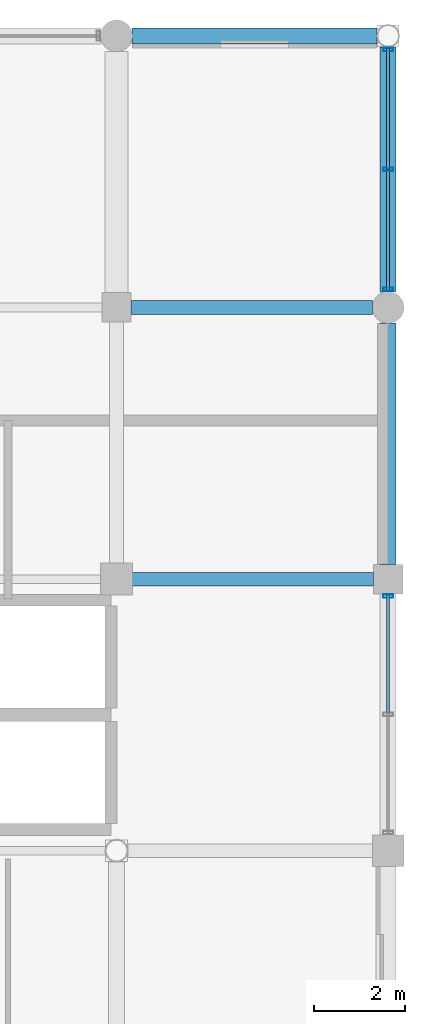
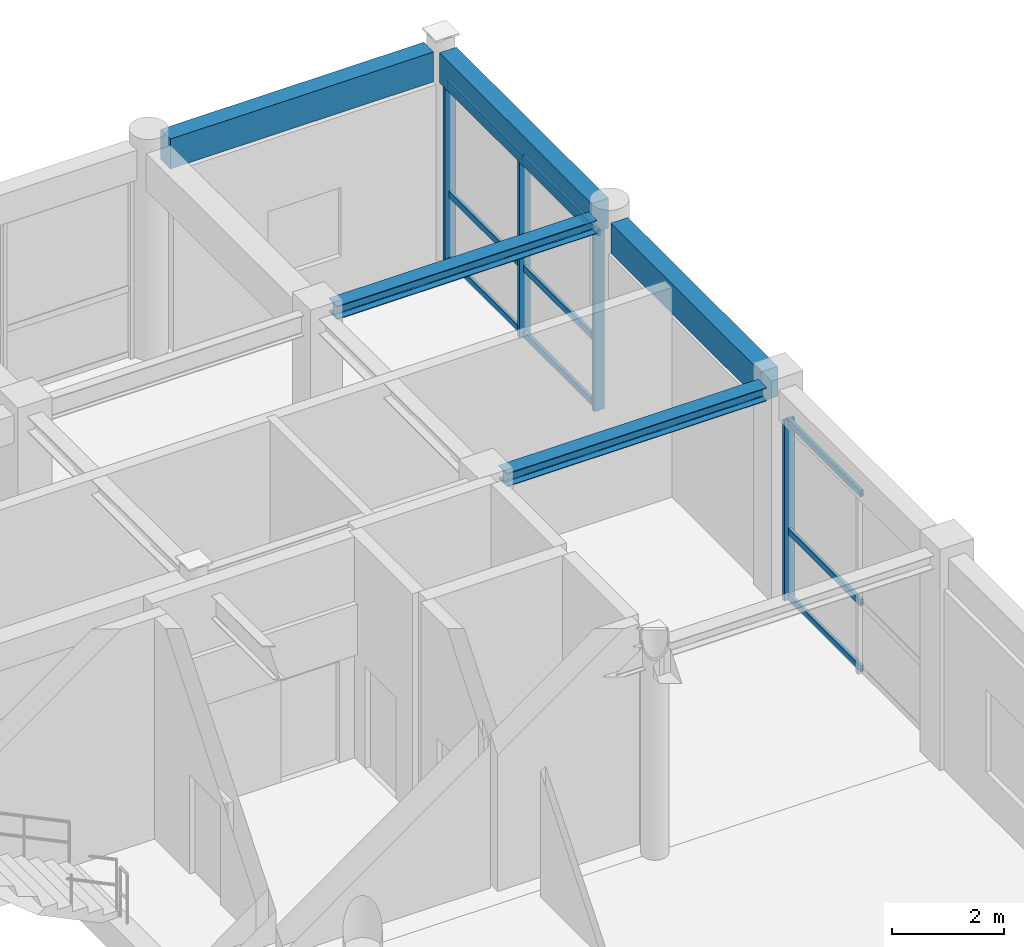
# One storey, part 81 of 112: 13 members, 5 beams, 2 elements without a shape of their own.
"""IFC4 building model written with IfcOpenShell, lengths in metres."""

import ifcopenshell
import ifcopenshell.guid

model = None  # the IFC model being written
_history = None  # IfcOwnerHistory: only IFC2X3 demands one
_inside = {}  # id of a spatial element -> (the spatial element, [elements in it])
_under = {}  # id of a project, library or spatial element -> (it, [spatial elements below it])
_declared = {}  # id of a project -> (the project, [libraries it declares])
_typed = {}  # id of a type object -> (the type object, [elements of that type])
_made_of = {}  # id of a material, layer set ... -> (it, [elements and type objects made of it])


def new_model(schema):
    """Start an empty IFC model of exactly this schema.

    Asked for "IFC4X3", IfcOpenShell would pick the latest addendum, in which some entities
    have other attributes; the version numbers below select the first issue.
    IFC2X3 requires an IfcOwnerHistory on every rooted entity: one is made here for all.
    """
    global model, _history
    if schema == "IFC4X3":
        model = ifcopenshell.file(schema_version=(4, 3, 0, 0))
    else:
        model = ifcopenshell.file(schema=schema)
    _inside.clear()
    _under.clear()
    _declared.clear()
    _typed.clear()
    _made_of.clear()
    _history = None
    if model.schema == "IFC2X3":
        org = make("IfcOrganization", Name="unknown")
        user = make(
            "IfcPersonAndOrganization",
            ThePerson=make("IfcPerson", FamilyName="unknown"),
            TheOrganization=org,
        )
        app = make(
            "IfcApplication",
            ApplicationDeveloper=org,
            Version="unknown",
            ApplicationFullName="unknown",
            ApplicationIdentifier="unknown",
        )
        _history = make(
            "IfcOwnerHistory",
            OwningUser=user,
            OwningApplication=app,
            ChangeAction="ADDED",
            CreationDate=0,
        )
    return model


def make(cls, **values):
    """One entity of the class cls with the attributes given. An attribute that is None is left unset."""
    return model.create_entity(
        cls, **{name: value for name, value in values.items() if value is not None}
    )


def rooted(cls, **values):
    """An entity with a GlobalId (a new one), such as an element, a storey or a relation."""
    return make(cls, GlobalId=ifcopenshell.guid.new(), OwnerHistory=_history, **values)


def si_unit(unit_type, name, prefix=None):
    """IfcSIUnit, for example si_unit("LENGTHUNIT", "METRE", prefix="MILLI")."""
    return make("IfcSIUnit", UnitType=unit_type, Prefix=prefix, Name=name)


def assignment(units):
    """IfcUnitAssignment: the units of a project."""
    return None if units is None else make("IfcUnitAssignment", Units=units)


def point(xyz):
    """IfcCartesianPoint."""
    return None if xyz is None else make("IfcCartesianPoint", Coordinates=xyz)


def direction(xyz):
    """IfcDirection."""
    return None if xyz is None else make("IfcDirection", DirectionRatios=xyz)


def frame(location, z_axis=None, x_axis=None):
    """IfcAxis2Placement3D, a coordinate frame: its origin and axes. An axis left out is left unset."""
    return make(
        "IfcAxis2Placement3D",
        Location=point(location),
        Axis=direction(z_axis),
        RefDirection=direction(x_axis),
    )


def frame_2d(location, x_axis=None):
    """IfcAxis2Placement2D, a coordinate frame in the plane: its origin and x axis."""
    return make(
        "IfcAxis2Placement2D", Location=point(location), RefDirection=direction(x_axis)
    )


def origin():
    """The frame at (0, 0, 0) with its axes left unset."""
    return frame((0.0, 0.0, 0.0))


def origin_2d():
    """The frame at (0, 0) in the plane with its x axis left unset."""
    return frame_2d((0.0, 0.0))


def place(relative_to, where):
    """IfcLocalPlacement: puts the frame where relative to a parent placement (None: the world)."""
    return make(
        "IfcLocalPlacement", PlacementRelTo=relative_to, RelativePlacement=where
    )


def context(
    kind, dimensions, precision=None, world=None, true_north=None, identifier=None
):
    """IfcGeometricRepresentationContext, for example the 3D "Model" context."""
    return make(
        "IfcGeometricRepresentationContext",
        ContextIdentifier=identifier,
        ContextType=kind,
        CoordinateSpaceDimension=dimensions,
        Precision=precision,
        WorldCoordinateSystem=world,
        TrueNorth=true_north,
    )


def subcontext(parent, identifier, kind, view, scale=None):
    """IfcGeometricRepresentationSubContext, for example "Body" below "Model"."""
    return make(
        "IfcGeometricRepresentationSubContext",
        ContextIdentifier=identifier,
        ContextType=kind,
        ParentContext=parent,
        TargetScale=scale,
        TargetView=view,
    )


def project(units=None, contexts=None):
    """IfcProject with its units and contexts."""
    return rooted(
        "IfcProject",
        Name="project",
        RepresentationContexts=contexts,
        UnitsInContext=assignment(units),
    )


def spatial(cls, under=None, at=None, **own):
    """A site, building, storey or space (cls), placed at a placement, below another one or the project."""
    s = rooted(cls, ObjectPlacement=at, **own)
    if under is not None:
        _under.setdefault(under.id(), (under, []))[1].append(s)
    return s


def profile(cls, at=None, kind="AREA", **sizes):
    """A parametric profile (cls). Its sizes go by their IFC names, for example OverallWidth=200.0."""
    return make(cls, ProfileType=kind, Position=at, **sizes)


def rectangle(**sizes):
    """IfcRectangleProfileDef."""
    return profile("IfcRectangleProfileDef", **sizes)


def hollow_rectangle(**sizes):
    """IfcRectangleHollowProfileDef."""
    return profile("IfcRectangleHollowProfileDef", **sizes)


def i_section(**sizes):
    """IfcIShapeProfileDef."""
    return profile("IfcIShapeProfileDef", **sizes)


def extrude(swept, where, along, depth):
    """IfcExtrudedAreaSolid: the profile swept, set in the frame where, extruded along a direction by depth."""
    return make(
        "IfcExtrudedAreaSolid",
        SweptArea=swept,
        Position=where,
        ExtrudedDirection=direction(along),
        Depth=depth,
    )


def shape(context_of_items, identifier, shape_type, items):
    """IfcShapeRepresentation: the items that make up one representation, for example the "Body"."""
    return make(
        "IfcShapeRepresentation",
        ContextOfItems=context_of_items,
        RepresentationIdentifier=identifier,
        RepresentationType=shape_type,
        Items=items,
    )


def material(Name=None, Category=None):
    """IfcMaterial."""
    return make("IfcMaterial", Name=Name, Category=Category)


def material_profile(
    of_material, cross_section, Name=None, Category=None, Priority=None
):
    """IfcMaterialProfile: a cross section and its material."""
    return make(
        "IfcMaterialProfile",
        Name=Name,
        Material=of_material,
        Profile=cross_section,
        Priority=Priority,
        Category=Category,
    )


def profile_set(profiles, Name=None, composite=None):
    """IfcMaterialProfileSet."""
    return make(
        "IfcMaterialProfileSet",
        Name=Name,
        MaterialProfiles=profiles,
        CompositeProfile=composite,
    )


def made_of(thing, what):
    """Note that an element or type object is made of a material, layer set ...; save() writes the relation."""
    if what is not None:
        _made_of.setdefault(what.id(), (what, []))[1].append(thing)
    return thing


def type_object(cls, material=None, **own):
    """A type object (cls), such as IfcWallType, which elements share."""
    return made_of(rooted(cls, **own), material)


def element(
    cls,
    number,
    at=None,
    inside=None,
    cuts=None,
    type_object=None,
    material=None,
    context=None,
    identifier="Body",
    shape_type=None,
    held_by="IfcProductDefinitionShape",
    body=None,
    shapes=None,
    **own,
):
    """One element of the class cls, such as IfcWall. Its Tag is "e" and its number.

    at: its placement. inside: the storey or other place that contains it. cuts: it is an
    opening in that element (IfcRelVoidsElement). A single representation is given by context,
    identifier, shape_type and body (its items); several are given by shapes. held_by: the class
    of the entity that holds the representations. save() writes the other relations.
    """
    e = rooted(cls, Tag="e%d" % number, ObjectPlacement=at, **own)
    if body is not None:
        shapes = [shape(context, identifier, shape_type, body)]
    if shapes is not None:
        e.Representation = make(held_by, Representations=shapes)
    if inside is not None:
        _inside.setdefault(inside.id(), (inside, []))[1].append(e)
    if cuts is not None:
        rooted(
            "IfcRelVoidsElement", RelatingBuildingElement=cuts, RelatedOpeningElement=e
        )
    if type_object is not None:
        _typed.setdefault(type_object.id(), (type_object, []))[1].append(e)
    return made_of(e, material)


def aggregate(whole, parts):
    """IfcRelAggregates: a whole, such as a stair, and the parts it consists of."""
    return rooted("IfcRelAggregates", RelatingObject=whole, RelatedObjects=parts)


def save(model, path):
    """Write the relations noted so far, then the file.

    IfcRelAggregates (storeys below a building ...), IfcRelContainedInSpatialStructure (elements
    in a storey), IfcRelDefinesByType, IfcRelAssociatesMaterial and IfcRelDeclares: one each for
    every whole, place, type object, material and project.
    """
    for whole, parts in _under.values():
        aggregate(whole, parts)
    for where, things in _inside.values():
        rooted(
            "IfcRelContainedInSpatialStructure",
            RelatedElements=things,
            RelatingStructure=where,
        )
    for kind, things in _typed.values():
        rooted("IfcRelDefinesByType", RelatedObjects=things, RelatingType=kind)
    for what, things in _made_of.values():
        rooted("IfcRelAssociatesMaterial", RelatedObjects=things, RelatingMaterial=what)
    for by, libraries in _declared.values():
        rooted("IfcRelDeclares", RelatingContext=by, RelatedDefinitions=libraries)
    model.write(path)


model = new_model("IFC4")

# Units and contexts
model_context = context("Model", 3, precision=1e-05, world=origin(), true_north=direction((0.0, 1.0)))
body_context = subcontext(model_context, "Body", "Model", "MODEL_VIEW")
ifc_project = project(units=[si_unit("LENGTHUNIT", "METRE"), si_unit("AREAUNIT", "SQUARE_METRE"), si_unit("VOLUMEUNIT", "CUBIC_METRE"), si_unit("PLANEANGLEUNIT", "RADIAN"), si_unit("MASSUNIT", "GRAM", prefix="KILO"), si_unit("THERMODYNAMICTEMPERATUREUNIT", "KELVIN"), si_unit("POWERUNIT", "WATT")], contexts=[model_context])

# Site, building, storey
site_placement = place(None, origin())
site = spatial("IfcSite", under=ifc_project, at=site_placement, CompositionType="ELEMENT")
building_placement = place(site_placement, origin())
building = spatial("IfcBuilding", under=site, at=building_placement, Name="Phaisarnlok Congress Hotel", CompositionType="ELEMENT")
storey_placement = place(building_placement, frame((0.0, 0.0, 19.800048828125)))
storey = spatial("IfcBuildingStorey", under=building, at=storey_placement, Name="L04", CompositionType="ELEMENT", Elevation=19.800048828125)

# Beams
ifc_material_1 = material(Name="Steel S355", Category="steel")
ifc_material_profile_1 = material_profile(ifc_material_1, i_section(OverallWidth=0.300048828125, OverallDepth=0.2900390625, WebThickness=0.008544921875, FlangeThickness=0.013916015625, FilletRadius=0.027099609375, at=origin_2d()), Name="HEA 300")
ifc_profile_set_1 = profile_set([ifc_material_profile_1], Name="Steel S355")
beam_type_1 = type_object("IfcBeamType", Name="BM-STL-HEA300", PredefinedType="BEAM", material=ifc_profile_set_1)
for number, where, z_axis, x_axis, name in (
    (1, (174.344970703125, 114.0, 4.405029296875), (1.0, 0.0, 0.0), (0.0, 1.0, 0.0), "Beam SB-05"),
    (2, (174.320068359375, 120.0, 4.405029296875), (1.0, 0.0, 0.0), (0.0, 1.0, 0.0), "Beam SB-05"),
):
    element("IfcBeam", number, at=place(storey_placement, frame(where, z_axis=z_axis, x_axis=x_axis)), inside=storey, type_object=beam_type_1, Name=name, PredefinedType="BEAM", context=body_context, shape_type="SweptSolid", body=[
        extrude(i_section(OverallWidth=0.300048828125, OverallDepth=0.2900390625, WebThickness=0.008544921875, FlangeThickness=0.013916015625, FilletRadius=0.027099609375, at=origin_2d()), origin(), (0.0, 0.0, 1.0), 5.3349609375),
    ])

# Curtain wall, member
ifc_material_2 = material(Name="Thermally Broken Unitised Aluminium & Low-E Glazing", Category="aluminium")
curtain_wall_type_1 = type_object("IfcCurtainWallType", Name="CW-UNIT-33", PredefinedType="NOTDEFINED", material=ifc_material_2)
curtain_wall_1_placement = place(storey_placement, origin())
curtain_wall_1 = element("IfcCurtainWall", 3, at=curtain_wall_1_placement, inside=storey, type_object=curtain_wall_type_1, Name="Unitised curtain wall CW-33 (L04)", PredefinedType="NOTDEFINED")
ifc_material_3 = material(Name="Anodised Aluminium Alloy 6063-T6", Category="aluminium")
ifc_material_profile_2 = material_profile(ifc_material_3, hollow_rectangle(XDim=0.074951171875, YDim=0.219970703125, WallThickness=0.0048828125, at=origin_2d()), Name="ALU-M 75x220x5")
ifc_profile_set_2 = profile_set([ifc_material_profile_2], Name="Anodised Aluminium Alloy 6063-T6")
member_type_1 = type_object("IfcMemberType", Name="CWM-220", PredefinedType="MULLION", material=ifc_profile_set_2)
member_1_placement = place(storey_placement, frame((180.0, 113.625, 0.0), z_axis=(0.0, 0.0, 1.0), x_axis=(0.0, 1.0, 0.0)))
member_1 = element("IfcMember", 4, at=member_1_placement, type_object=member_type_1, Name="Curtain wall mullion CWM-02", PredefinedType="MULLION", context=body_context, shape_type="SweptSolid", body=[
    extrude(hollow_rectangle(XDim=0.074951171875, YDim=0.219970703125, WallThickness=0.0048828125, at=origin_2d()), origin(), (0.0, 0.0, 1.0), 3.89990234375),
])

# Curtain wall, members
curtain_wall_type_2 = type_object("IfcCurtainWallType", Name="CW-UNIT-34", PredefinedType="NOTDEFINED", material=ifc_material_2)
curtain_wall_2_placement = place(storey_placement, origin())
curtain_wall_2 = element("IfcCurtainWall", 5, at=curtain_wall_2_placement, inside=storey, type_object=curtain_wall_type_2, Name="Unitised curtain wall CW-34 (L04)", PredefinedType="NOTDEFINED")
member_2_placement = place(storey_placement, frame((180.0, 120.39990234375, 0.0), z_axis=(0.0, 0.0, 1.0), x_axis=(0.0, 1.0, 0.0)))
member_2 = element("IfcMember", 6, at=member_2_placement, type_object=member_type_1, Name="Curtain wall mullion CWM-02", PredefinedType="MULLION", context=body_context, shape_type="SweptSolid", body=[
    extrude(hollow_rectangle(XDim=0.074951171875, YDim=0.219970703125, WallThickness=0.0048828125, at=origin_2d()), origin(), (0.0, 0.0, 1.0), 3.89990234375),
])
member_3_placement = place(storey_placement, frame((180.0, 123.048095703125, 0.0), z_axis=(0.0, 0.0, 1.0), x_axis=(0.0, 1.0, 0.0)))
member_3 = element("IfcMember", 7, at=member_3_placement, type_object=member_type_1, Name="Curtain wall mullion CWM-02", PredefinedType="MULLION", context=body_context, shape_type="SweptSolid", body=[
    extrude(hollow_rectangle(XDim=0.074951171875, YDim=0.219970703125, WallThickness=0.0048828125, at=origin_2d()), origin(), (0.0, 0.0, 1.0), 3.89990234375),
])
member_4_placement = place(storey_placement, frame((180.0, 125.696044921875, 0.0), z_axis=(0.0, 0.0, 1.0), x_axis=(0.0, 1.0, 0.0)))
member_4 = element("IfcMember", 8, at=member_4_placement, type_object=member_type_1, Name="Curtain wall mullion CWM-02", PredefinedType="MULLION", context=body_context, shape_type="SweptSolid", body=[
    extrude(hollow_rectangle(XDim=0.074951171875, YDim=0.219970703125, WallThickness=0.0048828125, at=origin_2d()), origin(), (0.0, 0.0, 1.0), 3.89990234375),
])

# Member
ifc_material_profile_3 = material_profile(ifc_material_3, hollow_rectangle(XDim=0.06494140625, YDim=0.139892578125, WallThickness=0.00390625, at=origin_2d()), Name="ALU-T 65x140x4")
ifc_profile_set_3 = profile_set([ifc_material_profile_3], Name="Anodised Aluminium Alloy 6063-T6")
member_type_2 = type_object("IfcMemberType", Name="CWT-150", PredefinedType="USERDEFINED", material=ifc_profile_set_3)
member_5_placement = place(storey_placement, frame((180.0, 111.027587890625, 0.050048828125), z_axis=(0.0, 1.0, 0.0), x_axis=(-1.0, 0.0, 0.0)))
member_5 = element("IfcMember", 9, at=member_5_placement, type_object=member_type_2, Name="Curtain wall transom CWT-01", ObjectType="TRANSOM", PredefinedType="USERDEFINED", context=body_context, shape_type="SweptSolid", body=[
    extrude(hollow_rectangle(XDim=0.06494140625, YDim=0.139892578125, WallThickness=0.00390625, at=origin_2d()), origin(), (0.0, 0.0, 1.0), 2.622314453125),
])

member_6_placement = place(storey_placement, frame((180.0, 111.027587890625, 1.48193359375), z_axis=(0.0, 1.0, 0.0), x_axis=(-1.0, 0.0, 0.0)))
member_6 = element("IfcMember", 10, at=member_6_placement, type_object=member_type_2, Name="Curtain wall transom CWT-01", ObjectType="TRANSOM", PredefinedType="USERDEFINED", context=body_context, shape_type="SweptSolid", body=[
    extrude(hollow_rectangle(XDim=0.06494140625, YDim=0.139892578125, WallThickness=0.00390625, at=origin_2d()), origin(), (0.0, 0.0, 1.0), 2.622314453125),
])

member_7_placement = place(storey_placement, frame((180.0, 111.027587890625, 3.849853515625), z_axis=(0.0, 1.0, 0.0), x_axis=(-1.0, 0.0, 0.0)))
member_7 = element("IfcMember", 11, at=member_7_placement, type_object=member_type_2, Name="Curtain wall transom CWT-01", ObjectType="TRANSOM", PredefinedType="USERDEFINED", context=body_context, shape_type="SweptSolid", body=[
    extrude(hollow_rectangle(XDim=0.06494140625, YDim=0.139892578125, WallThickness=0.00390625, at=origin_2d()), origin(), (0.0, 0.0, 1.0), 2.622314453125),
])

aggregate(curtain_wall_1, [member_1, member_5, member_6, member_7])

member_8_placement = place(storey_placement, frame((180.0, 120.375, 0.050048828125), z_axis=(0.0, 1.0, 0.0), x_axis=(-1.0, 0.0, 0.0)))
member_8 = element("IfcMember", 12, at=member_8_placement, type_object=member_type_2, Name="Curtain wall transom CWT-01", ObjectType="TRANSOM", PredefinedType="USERDEFINED", context=body_context, shape_type="SweptSolid", body=[
    extrude(hollow_rectangle(XDim=0.06494140625, YDim=0.139892578125, WallThickness=0.00390625, at=origin_2d()), origin(), (0.0, 0.0, 1.0), 2.657958984375),
])

member_9_placement = place(storey_placement, frame((180.0, 120.375, 1.48193359375), z_axis=(0.0, 1.0, 0.0), x_axis=(-1.0, 0.0, 0.0)))
member_9 = element("IfcMember", 13, at=member_9_placement, type_object=member_type_2, Name="Curtain wall transom CWT-01", ObjectType="TRANSOM", PredefinedType="USERDEFINED", context=body_context, shape_type="SweptSolid", body=[
    extrude(hollow_rectangle(XDim=0.06494140625, YDim=0.139892578125, WallThickness=0.00390625, at=origin_2d()), origin(), (0.0, 0.0, 1.0), 2.657958984375),
])

member_10_placement = place(storey_placement, frame((180.0, 120.375, 3.849853515625), z_axis=(0.0, 1.0, 0.0), x_axis=(-1.0, 0.0, 0.0)))
member_10 = element("IfcMember", 14, at=member_10_placement, type_object=member_type_2, Name="Curtain wall transom CWT-01", ObjectType="TRANSOM", PredefinedType="USERDEFINED", context=body_context, shape_type="SweptSolid", body=[
    extrude(hollow_rectangle(XDim=0.06494140625, YDim=0.139892578125, WallThickness=0.00390625, at=origin_2d()), origin(), (0.0, 0.0, 1.0), 2.657958984375),
])

member_11_placement = place(storey_placement, frame((180.0, 123.06298828125, 0.050048828125), z_axis=(0.0, 1.0, 0.0), x_axis=(-1.0, 0.0, 0.0)))
member_11 = element("IfcMember", 15, at=member_11_placement, type_object=member_type_2, Name="Curtain wall transom CWT-01", ObjectType="TRANSOM", PredefinedType="USERDEFINED", context=body_context, shape_type="SweptSolid", body=[
    extrude(hollow_rectangle(XDim=0.06494140625, YDim=0.139892578125, WallThickness=0.00390625, at=origin_2d()), origin(), (0.0, 0.0, 1.0), 2.657958984375),
])

member_12_placement = place(storey_placement, frame((180.0, 123.06298828125, 1.48193359375), z_axis=(0.0, 1.0, 0.0), x_axis=(-1.0, 0.0, 0.0)))
member_12 = element("IfcMember", 16, at=member_12_placement, type_object=member_type_2, Name="Curtain wall transom CWT-01", ObjectType="TRANSOM", PredefinedType="USERDEFINED", context=body_context, shape_type="SweptSolid", body=[
    extrude(hollow_rectangle(XDim=0.06494140625, YDim=0.139892578125, WallThickness=0.00390625, at=origin_2d()), origin(), (0.0, 0.0, 1.0), 2.657958984375),
])

member_13_placement = place(storey_placement, frame((180.0, 123.06298828125, 3.849853515625), z_axis=(0.0, 1.0, 0.0), x_axis=(-1.0, 0.0, 0.0)))
member_13 = element("IfcMember", 17, at=member_13_placement, type_object=member_type_2, Name="Curtain wall transom CWT-01", ObjectType="TRANSOM", PredefinedType="USERDEFINED", context=body_context, shape_type="SweptSolid", body=[
    extrude(hollow_rectangle(XDim=0.06494140625, YDim=0.139892578125, WallThickness=0.00390625, at=origin_2d()), origin(), (0.0, 0.0, 1.0), 2.657958984375),
])

aggregate(curtain_wall_2, [member_2, member_3, member_4, member_8, member_9, member_10, member_11, member_12, member_13])

# Beams
ifc_material_4 = material(Name="Concrete C40/50", Category="concrete")
ifc_material_profile_4 = material_profile(ifc_material_4, rectangle(XDim=0.35009765625, YDim=0.64990234375, at=origin_2d()), Name="RC 350x650")
ifc_profile_set_4 = profile_set([ifc_material_profile_4], Name="Concrete C40/50")
beam_type_2 = type_object("IfcBeamType", Name="SP-RC-350x650", PredefinedType="SPANDREL", material=ifc_profile_set_4)
beam_1_placement = place(storey_placement, frame((174.344970703125, 126.0, 4.224853515625), z_axis=(1.0, 0.0, 0.0), x_axis=(0.0, 1.0, 0.0)))
element("IfcBeam", 18, at=beam_1_placement, inside=storey, type_object=beam_type_2, Name="Beam SP-01", PredefinedType="SPANDREL", context=body_context, shape_type="SweptSolid", body=[
    extrude(rectangle(XDim=0.35009765625, YDim=0.64990234375, at=origin_2d()), origin(), (0.0, 0.0, 1.0), 5.406005859375),
])
beam_2_placement = place(storey_placement, frame((180.0, 114.320068359375, 4.224853515625), z_axis=(0.0, 1.0, 0.0), x_axis=(-1.0, 0.0, 0.0)))
element("IfcBeam", 19, at=beam_2_placement, inside=storey, type_object=beam_type_2, Name="Beam SP-01", PredefinedType="SPANDREL", context=body_context, shape_type="SweptSolid", body=[
    extrude(rectangle(XDim=0.35009765625, YDim=0.64990234375, at=origin_2d()), origin(), (0.0, 0.0, 1.0), 5.3349609375),
])
beam_3_placement = place(storey_placement, frame((180.0, 120.344970703125, 4.224853515625), z_axis=(0.0, 1.0, 0.0), x_axis=(-1.0, 0.0, 0.0)))
element("IfcBeam", 20, at=beam_3_placement, inside=storey, type_object=beam_type_2, Name="Beam SP-01", PredefinedType="SPANDREL", context=body_context, shape_type="SweptSolid", body=[
    extrude(rectangle(XDim=0.35009765625, YDim=0.64990234375, at=origin_2d()), origin(), (0.0, 0.0, 1.0), 5.406005859375),
])

save(model, "model.ifc")
